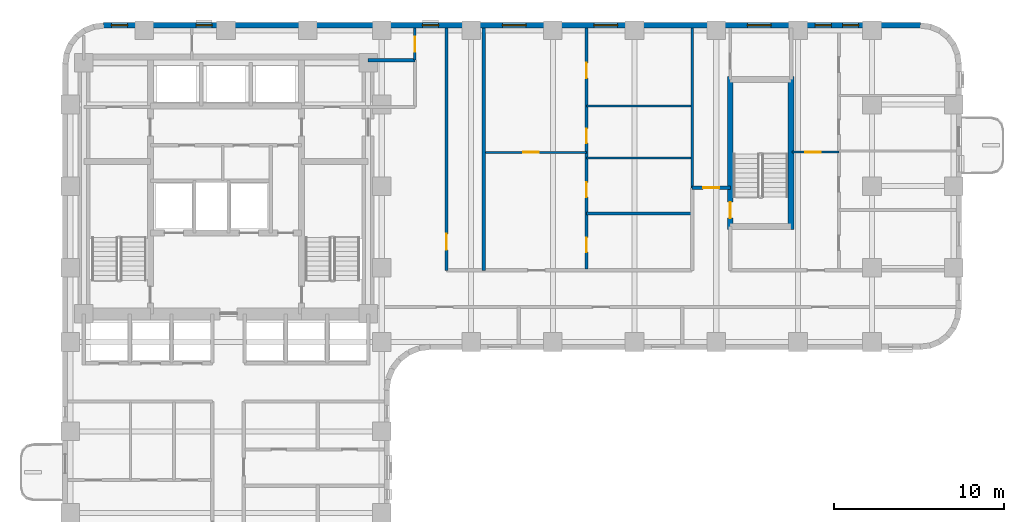
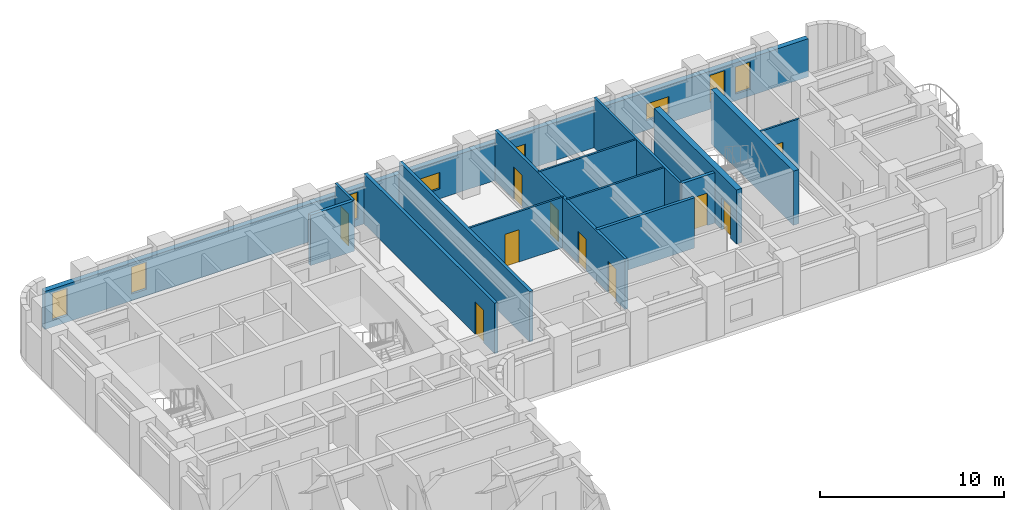
# One storey, part 6 of 11: 15 walls, 10 doors, 8 windows, 18 openings.
"""IFC4 building model written with IfcOpenShell, lengths in metres."""

from ifc_helpers import new_model, si_unit, direction, frame, frame_2d, origin, place, context, subcontext, project, spatial, rectangle, extrude, material, layer, layer_set, type_object, element, fill, save


model = new_model("IFC4")

# Units and contexts
model_context = context("Model", 3, precision=1e-05, world=origin(), true_north=direction((0.0, 1.0)))
body_context = subcontext(model_context, "Body", "Model", "MODEL_VIEW")
ifc_project = project(units=[si_unit("LENGTHUNIT", "METRE"), si_unit("AREAUNIT", "SQUARE_METRE"), si_unit("VOLUMEUNIT", "CUBIC_METRE"), si_unit("PLANEANGLEUNIT", "RADIAN"), si_unit("MASSUNIT", "GRAM", prefix="KILO")], contexts=[model_context])

# Site, building, storey
site_placement = place(None, origin())
site = spatial("IfcSite", under=ifc_project, at=site_placement, CompositionType="ELEMENT")
building_placement = place(site_placement, origin())
building = spatial("IfcBuilding", under=site, at=building_placement, Name="Orvandelia Arch Residences", CompositionType="ELEMENT")
storey_placement = place(building_placement, frame((0.0, 0.0, 64.60009765625)))
storey = spatial("IfcBuildingStorey", under=building, at=storey_placement, Name="L16", CompositionType="ELEMENT", Elevation=64.60009765625)

# Wall, opening, door
ifc_material_1 = material(Name="Concrete C50/60", Category="concrete")
ifc_layer_1 = layer(ifc_material_1, 0.35009765625, Name="Concrete C50/60", Category="concrete")
ifc_layer_set_1 = layer_set([ifc_layer_1], Name="Concrete C50/60")
wall_type_1 = type_object("IfcWallType", Name="WL-CORE-350", PredefinedType="SHEAR", material=ifc_layer_set_1)
wall_1_placement = place(storey_placement, frame((44.02001953125, 35.864990234375, 0.0), z_axis=(0.0, 0.0, 1.0), x_axis=(0.0, 1.0, 0.0)))
wall_1 = element("IfcWall", 1, at=wall_1_placement, inside=storey, type_object=wall_type_1, Name="East Stair Core Shear Wall L16-W", PredefinedType="SHEAR", context=body_context, shape_type="SweptSolid", body=[
    extrude(rectangle(XDim=8.969970703125, YDim=0.35009765625, at=frame_2d((4.48486328125, 0.0))), origin(), (0.0, 0.0, 1.0), 3.599853515625),
])
opening_1_placement = place(wall_1_placement, frame((0.64990234375, 0.0, 0.0)))
opening_1 = element("IfcOpeningElement", 2, at=opening_1_placement, cuts=wall_1, Name="Opening D7", PredefinedType="OPENING", context=body_context, shape_type="SweptSolid", body=[
    extrude(rectangle(XDim=0.949951171875, YDim=2.10009765625, at=frame_2d((0.47509765625, 1.050048828125))), frame((0.0, 0.18505859375, 0.0), z_axis=(0.0, -1.0, 0.0), x_axis=(1.0, 0.0, 0.0)), (0.0, 0.0, 1.0), 0.3701171875),
])
ifc_material_2 = material(Name="Pressurised Stairwell Fire Door")
door_type_1 = type_object("IfcDoorType", Name="DR-STAIR-950", OperationType="NOTDEFINED", PredefinedType="DOOR", material=ifc_material_2)
door_1_placement = place(opening_1_placement, origin())
door_1 = element("IfcDoor", 3, at=door_1_placement, inside=storey, type_object=door_type_1, Name="East Stairwell ST-3 Fire Door L16", OperationType="SINGLE_SWING_LEFT", OverallHeight=2.10009765625, OverallWidth=0.949951171875, PredefinedType="DOOR", context=body_context, shape_type="SweptSolid", body=[
    extrude(rectangle(XDim=0.949951171875, YDim=2.10009765625, at=frame_2d((0.47509765625, 1.050048828125))), frame((0.0, 0.02490234375, 0.0), z_axis=(0.0, -1.0, 0.0), x_axis=(1.0, 0.0, 0.0)), (0.0, 0.0, 1.0), 0.050048828125),
])
fill(opening_1, door_1)

# Walls
wall_2_placement = place(storey_placement, frame((47.60009765625, 35.864990234375, 0.0), z_axis=(0.0, 0.0, 1.0), x_axis=(0.0, 1.0, 0.0)))
element("IfcWall", 4, at=wall_2_placement, inside=storey, type_object=wall_type_1, Name="East Stair Core Shear Wall L16-E", PredefinedType="SHEAR", context=body_context, shape_type="SweptSolid", body=[
    extrude(rectangle(XDim=8.969970703125, YDim=0.35009765625, at=frame_2d((4.48486328125, 0.0))), origin(), (0.0, 0.0, 1.0), 3.599853515625),
])
ifc_material_3 = material(Name="Fire-Rated Corridor Partition")
ifc_layer_2 = layer(ifc_material_3, 0.199951171875, Name="Fire-Rated Corridor Partition")
ifc_layer_set_2 = layer_set([ifc_layer_2], Name="Fire-Rated Corridor Partition")
wall_type_2 = type_object("IfcWallType", Name="WL-CORR-200", PredefinedType="PARTITIONING", material=ifc_layer_set_2)
wall_3_placement = place(storey_placement, frame((22.75, 45.800048828125, 0.0), z_axis=(0.0, 0.0, 1.0), x_axis=(1.0, 0.0, 0.0)))
element("IfcWall", 5, at=wall_3_placement, inside=storey, type_object=wall_type_2, Name="Interior Partition Wall WL-L16-NCE-S", PredefinedType="PARTITIONING", context=body_context, shape_type="SweptSolid", body=[
    extrude(rectangle(XDim=2.75, YDim=0.199951171875, at=frame_2d((1.375, 0.0))), origin(), (0.0, 0.0, 1.0), 3.349853515625),
])

# Wall, opening, door
wall_4_placement = place(storey_placement, frame((27.35009765625, 33.449951171875, 0.0), z_axis=(0.0, 0.0, 1.0), x_axis=(0.0, 1.0, 0.0)))
wall_4 = element("IfcWall", 6, at=wall_4_placement, inside=storey, type_object=wall_type_2, Name="Interior Partition Wall WL-L16-ES-NCE", PredefinedType="PARTITIONING", context=body_context, shape_type="SweptSolid", body=[
    extrude(rectangle(XDim=14.22998046875, YDim=0.199951171875, at=frame_2d((7.114990234375, 0.0))), origin(), (0.0, 0.0, 1.0), 3.349853515625),
])
opening_2_placement = place(wall_4_placement, frame((1.199951171875, 0.0, 0.0)))
opening_2 = element("IfcOpeningElement", 7, at=opening_2_placement, cuts=wall_4, Name="Opening D2", PredefinedType="OPENING", context=body_context, shape_type="SweptSolid", body=[
    extrude(rectangle(XDim=0.949951171875, YDim=2.14990234375, at=frame_2d((0.47509765625, 1.074951171875))), frame((0.0, 0.10986328125, 0.0), z_axis=(0.0, -1.0, 0.0), x_axis=(1.0, 0.0, 0.0)), (0.0, 0.0, 1.0), 0.219970703125),
])
ifc_material_4 = material(Name="Solid-Core Timber Interior Fire Door", Category="wood")
door_type_2 = type_object("IfcDoorType", Name="DR-APT-950", OperationType="NOTDEFINED", PredefinedType="DOOR", material=ifc_material_4)
door_2_placement = place(opening_2_placement, origin())
door_2 = element("IfcDoor", 8, at=door_2_placement, inside=storey, type_object=door_type_2, Name="DR-L16-ESLDY", OperationType="SINGLE_SWING_RIGHT", OverallHeight=2.14990234375, OverallWidth=0.949951171875, PredefinedType="DOOR", context=body_context, shape_type="SweptSolid", body=[
    extrude(rectangle(XDim=0.949951171875, YDim=2.14990234375, at=frame_2d((0.47509765625, 1.074951171875))), frame((0.0, 0.02490234375, 0.0), z_axis=(0.0, -1.0, 0.0), x_axis=(1.0, 0.0, 0.0)), (0.0, 0.0, 1.0), 0.050048828125),
])
fill(opening_2, door_2)

wall_5_placement = place(storey_placement, frame((41.780029296875, 38.300048828125, 0.0), z_axis=(0.0, 0.0, 1.0), x_axis=(1.0, 0.0, 0.0)))
wall_5 = element("IfcWall", 9, at=wall_5_placement, inside=storey, type_object=wall_type_2, Name="Interior Partition Wall WL-L16-ES-SN", PredefinedType="PARTITIONING", context=body_context, shape_type="SweptSolid", body=[
    extrude(rectangle(XDim=2.239990234375, YDim=0.199951171875, at=frame_2d((1.1201171875, 0.0))), origin(), (0.0, 0.0, 1.0), 3.349853515625),
])
opening_3_placement = place(wall_5_placement, frame((0.64990234375, 0.0, 0.0)))
opening_3 = element("IfcOpeningElement", 10, at=opening_3_placement, cuts=wall_5, Name="Opening D2", PredefinedType="OPENING", context=body_context, shape_type="SweptSolid", body=[
    extrude(rectangle(XDim=0.949951171875, YDim=2.14990234375, at=frame_2d((0.47509765625, 1.074951171875))), frame((0.0, 0.10986328125, 0.0), z_axis=(0.0, -1.0, 0.0), x_axis=(1.0, 0.0, 0.0)), (0.0, 0.0, 1.0), 0.219970703125),
])
door_3_placement = place(opening_3_placement, origin())
door_3 = element("IfcDoor", 11, at=door_3_placement, inside=storey, type_object=door_type_2, Name="DR-L16-ESSPK", OperationType="SINGLE_SWING_LEFT", OverallHeight=2.14990234375, OverallWidth=0.949951171875, PredefinedType="DOOR", context=body_context, shape_type="SweptSolid", body=[
    extrude(rectangle(XDim=0.949951171875, YDim=2.14990234375, at=frame_2d((0.47509765625, 1.074951171875))), frame((0.0, 0.02490234375, 0.0), z_axis=(0.0, -1.0, 0.0), x_axis=(1.0, 0.0, 0.0)), (0.0, 0.0, 1.0), 0.050048828125),
])
fill(opening_3, door_3)

# Wall
ifc_material_5 = material(Name="Concrete C40/50", Category="concrete")
ifc_layer_3 = layer(ifc_material_5, 0.199951171875, Name="Concrete C40/50", Category="concrete")
ifc_layer_set_3 = layer_set([ifc_layer_3], Name="Concrete C40/50")
wall_type_3 = type_object("IfcWallType", Name="WL-DEM-200", PredefinedType="SOLIDWALL", material=ifc_layer_set_3)
wall_6_placement = place(storey_placement, frame((29.550048828125, 33.449951171875, 0.0), z_axis=(0.0, 0.0, 1.0), x_axis=(0.0, 1.0, 0.0)))
element("IfcWall", 12, at=wall_6_placement, inside=storey, type_object=wall_type_3, Name="Interior Partition Wall WL-L16-ES-LDE", PredefinedType="SOLIDWALL", context=body_context, shape_type="SweptSolid", body=[
    extrude(rectangle(XDim=14.22998046875, YDim=0.199951171875, at=frame_2d((7.114990234375, 0.0))), origin(), (0.0, 0.0, 1.0), 3.349853515625),
])

# Wall, openings, windows
ifc_material_6 = material(Name="Precast concrete C40/50", Category="concrete")
ifc_layer_4 = layer(ifc_material_6, 0.320068359375, Name="Precast concrete C40/50", Category="concrete")
ifc_layer_set_4 = layer_set([ifc_layer_4], Name="Precast concrete C40/50")
wall_type_4 = type_object("IfcWallType", Name="WL-EXT-STONE-320", PredefinedType="STANDARD", material=ifc_layer_set_4)
wall_7_placement = place(storey_placement, frame((7.199951171875, 47.840087890625, 0.0), z_axis=(0.0, 0.0, 1.0), x_axis=(1.0, 0.0, 0.0)))
wall_7 = element("IfcWall", 13, at=wall_7_placement, inside=storey, type_object=wall_type_4, Name="Coral-Limestone Precast Facade Wall L16-007", PredefinedType="STANDARD", context=body_context, shape_type="SweptSolid", body=[
    extrude(rectangle(XDim=48.0, YDim=0.320068359375, at=frame_2d((24.0, 0.0))), origin(), (0.0, 0.0, 1.0), 2.52978515625),
])
opening_4_placement = place(wall_7_placement, frame((28.803466796875, 0.0, 0.64990234375)))
opening_4 = element("IfcOpeningElement", 14, at=opening_4_placement, cuts=wall_7, Name="Opening W10", PredefinedType="OPENING", context=body_context, shape_type="SweptSolid", body=[
    extrude(rectangle(XDim=1.39990234375, YDim=1.10009765625, at=frame_2d((0.699951171875, 0.550048828125))), frame((0.0, 0.169921875, 0.0), z_axis=(0.0, -1.0, 0.0), x_axis=(1.0, 0.0, 0.0)), (0.0, 0.0, 1.0), 0.340087890625),
])
opening_5_placement = place(wall_7_placement, frame((43.41357421875, 0.0, 0.449951171875)))
opening_5 = element("IfcOpeningElement", 15, at=opening_5_placement, cuts=wall_7, Name="Opening W4", PredefinedType="OPENING", context=body_context, shape_type="SweptSolid", body=[
    extrude(rectangle(XDim=0.949951171875, YDim=1.800048828125, at=frame_2d((0.47509765625, 0.89990234375))), frame((0.0, 0.169921875, 0.0), z_axis=(0.0, -1.0, 0.0), x_axis=(1.0, 0.0, 0.0)), (0.0, 0.0, 1.0), 0.340087890625),
])
opening_6_placement = place(wall_7_placement, frame((18.739990234375, 0.0, 0.449951171875)))
opening_6 = element("IfcOpeningElement", 16, at=opening_6_placement, cuts=wall_7, Name="Opening W4", PredefinedType="OPENING", context=body_context, shape_type="SweptSolid", body=[
    extrude(rectangle(XDim=0.949951171875, YDim=1.800048828125, at=frame_2d((0.47509765625, 0.89990234375))), frame((0.0, 0.169921875, 0.0), z_axis=(0.0, -1.0, 0.0), x_axis=(1.0, 0.0, 0.0)), (0.0, 0.0, 1.0), 0.340087890625),
])
opening_7_placement = place(wall_7_placement, frame((37.824951171875, 0.0, 0.64990234375)))
opening_7 = element("IfcOpeningElement", 17, at=opening_7_placement, cuts=wall_7, Name="Opening W10", PredefinedType="OPENING", context=body_context, shape_type="SweptSolid", body=[
    extrude(rectangle(XDim=1.39990234375, YDim=1.10009765625, at=frame_2d((0.699951171875, 0.550048828125))), frame((0.0, 0.169921875, 0.0), z_axis=(0.0, -1.0, 0.0), x_axis=(1.0, 0.0, 0.0)), (0.0, 0.0, 1.0), 0.340087890625),
])
opening_8_placement = place(wall_7_placement, frame((0.469970703125, 0.0, 0.449951171875)))
opening_8 = element("IfcOpeningElement", 18, at=opening_8_placement, cuts=wall_7, Name="Opening W4", PredefinedType="OPENING", context=body_context, shape_type="SweptSolid", body=[
    extrude(rectangle(XDim=0.949951171875, YDim=1.800048828125, at=frame_2d((0.47509765625, 0.89990234375))), frame((0.0, 0.169921875, 0.0), z_axis=(0.0, -1.0, 0.0), x_axis=(1.0, 0.0, 0.0)), (0.0, 0.0, 1.0), 0.340087890625),
])
opening_9_placement = place(wall_7_placement, frame((5.43994140625, 0.0, 0.449951171875)))
opening_9 = element("IfcOpeningElement", 19, at=opening_9_placement, cuts=wall_7, Name="Opening W4", PredefinedType="OPENING", context=body_context, shape_type="SweptSolid", body=[
    extrude(rectangle(XDim=0.949951171875, YDim=1.800048828125, at=frame_2d((0.47509765625, 0.89990234375))), frame((0.0, 0.169921875, 0.0), z_axis=(0.0, -1.0, 0.0), x_axis=(1.0, 0.0, 0.0)), (0.0, 0.0, 1.0), 0.340087890625),
])
opening_10_placement = place(wall_7_placement, frame((23.429931640625, 0.0, 0.64990234375)))
opening_10 = element("IfcOpeningElement", 20, at=opening_10_placement, cuts=wall_7, Name="Opening W10", PredefinedType="OPENING", context=body_context, shape_type="SweptSolid", body=[
    extrude(rectangle(XDim=1.39990234375, YDim=1.10009765625, at=frame_2d((0.699951171875, 0.550048828125))), frame((0.0, 0.169921875, 0.0), z_axis=(0.0, -1.0, 0.0), x_axis=(1.0, 0.0, 0.0)), (0.0, 0.0, 1.0), 0.340087890625),
])
opening_11_placement = place(wall_7_placement, frame((41.80859375, 0.0, 0.449951171875)))
opening_11 = element("IfcOpeningElement", 21, at=opening_11_placement, cuts=wall_7, Name="Opening W4", PredefinedType="OPENING", context=body_context, shape_type="SweptSolid", body=[
    extrude(rectangle(XDim=0.949951171875, YDim=1.800048828125, at=frame_2d((0.47509765625, 0.89990234375))), frame((0.0, 0.169921875, 0.0), z_axis=(0.0, -1.0, 0.0), x_axis=(1.0, 0.0, 0.0)), (0.0, 0.0, 1.0), 0.340087890625),
])
ifc_material_7 = material(Name="Tempered Low-E Insulated Glazing", Category="glass")
window_type_1 = type_object("IfcWindowType", Name="WIN-CLR-1400x1100", PartitioningType="SINGLE_PANEL", PredefinedType="WINDOW", material=ifc_material_7)
window_1_placement = place(opening_4_placement, origin())
window_1 = element("IfcWindow", 22, at=window_1_placement, inside=storey, type_object=window_type_1, Name="Recessed Punched Window L16-001", OverallHeight=1.10009765625, OverallWidth=1.39990234375, PartitioningType="SINGLE_PANEL", PredefinedType="WINDOW", context=body_context, shape_type="SweptSolid", body=[
    extrude(rectangle(XDim=1.39990234375, YDim=1.10009765625, at=frame_2d((0.699951171875, 0.550048828125))), frame((0.0, 0.030029296875, 0.0), z_axis=(0.0, -1.0, 0.0), x_axis=(1.0, 0.0, 0.0)), (0.0, 0.0, 1.0), 0.06005859375),
])
fill(opening_4, window_1)
window_2_placement = place(opening_7_placement, origin())
window_2 = element("IfcWindow", 23, at=window_2_placement, inside=storey, type_object=window_type_1, Name="Recessed Punched Window L16-004", OverallHeight=1.10009765625, OverallWidth=1.39990234375, PartitioningType="SINGLE_PANEL", PredefinedType="WINDOW", context=body_context, shape_type="SweptSolid", body=[
    extrude(rectangle(XDim=1.39990234375, YDim=1.10009765625, at=frame_2d((0.699951171875, 0.550048828125))), frame((0.0, 0.030029296875, 0.0), z_axis=(0.0, -1.0, 0.0), x_axis=(1.0, 0.0, 0.0)), (0.0, 0.0, 1.0), 0.06005859375),
])
fill(opening_7, window_2)
window_3_placement = place(opening_10_placement, origin())
window_3 = element("IfcWindow", 24, at=window_3_placement, inside=storey, type_object=window_type_1, Name="Recessed Punched Window L16-007", OverallHeight=1.10009765625, OverallWidth=1.39990234375, PartitioningType="SINGLE_PANEL", PredefinedType="WINDOW", context=body_context, shape_type="SweptSolid", body=[
    extrude(rectangle(XDim=1.39990234375, YDim=1.10009765625, at=frame_2d((0.699951171875, 0.550048828125))), frame((0.0, 0.030029296875, 0.0), z_axis=(0.0, -1.0, 0.0), x_axis=(1.0, 0.0, 0.0)), (0.0, 0.0, 1.0), 0.06005859375),
])
fill(opening_10, window_3)
window_type_2 = type_object("IfcWindowType", Name="WIN-RES-0950x1800", PartitioningType="SINGLE_PANEL", PredefinedType="WINDOW", material=ifc_material_7)
window_4_placement = place(opening_5_placement, origin())
window_4 = element("IfcWindow", 25, at=window_4_placement, inside=storey, type_object=window_type_2, Name="Recessed Punched Window L16-002", OverallHeight=1.800048828125, OverallWidth=0.949951171875, PartitioningType="SINGLE_PANEL", PredefinedType="WINDOW", context=body_context, shape_type="SweptSolid", body=[
    extrude(rectangle(XDim=0.949951171875, YDim=1.800048828125, at=frame_2d((0.47509765625, 0.89990234375))), frame((0.0, 0.030029296875, 0.0), z_axis=(0.0, -1.0, 0.0), x_axis=(1.0, 0.0, 0.0)), (0.0, 0.0, 1.0), 0.06005859375),
])
fill(opening_5, window_4)
window_5_placement = place(opening_6_placement, origin())
window_5 = element("IfcWindow", 26, at=window_5_placement, inside=storey, type_object=window_type_2, Name="Recessed Punched Window L16-003", OverallHeight=1.800048828125, OverallWidth=0.949951171875, PartitioningType="SINGLE_PANEL", PredefinedType="WINDOW", context=body_context, shape_type="SweptSolid", body=[
    extrude(rectangle(XDim=0.949951171875, YDim=1.800048828125, at=frame_2d((0.47509765625, 0.89990234375))), frame((0.0, 0.030029296875, 0.0), z_axis=(0.0, -1.0, 0.0), x_axis=(1.0, 0.0, 0.0)), (0.0, 0.0, 1.0), 0.06005859375),
])
fill(opening_6, window_5)
window_6_placement = place(opening_8_placement, origin())
window_6 = element("IfcWindow", 27, at=window_6_placement, inside=storey, type_object=window_type_2, Name="Recessed Punched Window L16-005", OverallHeight=1.800048828125, OverallWidth=0.949951171875, PartitioningType="SINGLE_PANEL", PredefinedType="WINDOW", context=body_context, shape_type="SweptSolid", body=[
    extrude(rectangle(XDim=0.949951171875, YDim=1.800048828125, at=frame_2d((0.47509765625, 0.89990234375))), frame((0.0, 0.030029296875, 0.0), z_axis=(0.0, -1.0, 0.0), x_axis=(1.0, 0.0, 0.0)), (0.0, 0.0, 1.0), 0.06005859375),
])
fill(opening_8, window_6)
window_7_placement = place(opening_9_placement, origin())
window_7 = element("IfcWindow", 28, at=window_7_placement, inside=storey, type_object=window_type_2, Name="Recessed Punched Window L16-006", OverallHeight=1.800048828125, OverallWidth=0.949951171875, PartitioningType="SINGLE_PANEL", PredefinedType="WINDOW", context=body_context, shape_type="SweptSolid", body=[
    extrude(rectangle(XDim=0.949951171875, YDim=1.800048828125, at=frame_2d((0.47509765625, 0.89990234375))), frame((0.0, 0.030029296875, 0.0), z_axis=(0.0, -1.0, 0.0), x_axis=(1.0, 0.0, 0.0)), (0.0, 0.0, 1.0), 0.06005859375),
])
fill(opening_9, window_7)
window_8_placement = place(opening_11_placement, origin())
window_8 = element("IfcWindow", 29, at=window_8_placement, inside=storey, type_object=window_type_2, Name="Recessed Punched Window L16-008", OverallHeight=1.800048828125, OverallWidth=0.949951171875, PartitioningType="SINGLE_PANEL", PredefinedType="WINDOW", context=body_context, shape_type="SweptSolid", body=[
    extrude(rectangle(XDim=0.949951171875, YDim=1.800048828125, at=frame_2d((0.47509765625, 0.89990234375))), frame((0.0, 0.030029296875, 0.0), z_axis=(0.0, -1.0, 0.0), x_axis=(1.0, 0.0, 0.0)), (0.0, 0.0, 1.0), 0.06005859375),
])
fill(opening_11, window_8)

# Wall, opening, door
ifc_material_8 = material(Name="Lightweight Gypsum Stud Partition")
ifc_layer_5 = layer(ifc_material_8, 0.1201171875, Name="Lightweight Gypsum Stud Partition")
ifc_layer_set_5 = layer_set([ifc_layer_5], Name="Lightweight Gypsum Stud Partition")
wall_type_5 = type_object("IfcWallType", Name="WL-PART-120", PredefinedType="PARTITIONING", material=ifc_layer_set_5)
wall_8_placement = place(storey_placement, frame((29.6298828125, 40.382080078125, 0.0), z_axis=(0.0, 0.0, 1.0), x_axis=(1.0, 0.0, 0.0)))
wall_8 = element("IfcWall", 30, at=wall_8_placement, inside=storey, type_object=wall_type_5, Name="Interior Partition Wall WL-L16-U07-DIN", PredefinedType="PARTITIONING", context=body_context, shape_type="SweptSolid", body=[
    extrude(rectangle(XDim=5.947021484375, YDim=0.1201171875, at=frame_2d((2.9736328125, 0.0))), origin(), (0.0, 0.0, 1.0), 3.349853515625),
])
opening_12_placement = place(wall_8_placement, frame((2.235107421875, 0.0, 0.0)))
opening_12 = element("IfcOpeningElement", 31, at=opening_12_placement, cuts=wall_8, Name="Opening D3", PredefinedType="OPENING", context=body_context, shape_type="SweptSolid", body=[
    extrude(rectangle(XDim=0.89990234375, YDim=2.14990234375, at=frame_2d((0.449951171875, 1.074951171875))), frame((0.0, 0.070068359375, 0.0), z_axis=(0.0, -1.0, 0.0), x_axis=(1.0, 0.0, 0.0)), (0.0, 0.0, 1.0), 0.14013671875),
])
ifc_material_9 = material(Name="Engineered Timber Flush Door", Category="wood")
door_type_3 = type_object("IfcDoorType", Name="DR-INT-900", OperationType="NOTDEFINED", PredefinedType="DOOR", material=ifc_material_9)
door_4_placement = place(opening_12_placement, origin())
door_4 = element("IfcDoor", 32, at=door_4_placement, inside=storey, type_object=door_type_3, Name="DR-L16-U07-DIN", OperationType="SINGLE_SWING_RIGHT", OverallHeight=2.14990234375, OverallWidth=0.89990234375, PredefinedType="DOOR", context=body_context, shape_type="SweptSolid", body=[
    extrude(rectangle(XDim=0.89990234375, YDim=2.14990234375, at=frame_2d((0.449951171875, 1.074951171875))), frame((0.0, 0.02490234375, 0.0), z_axis=(0.0, -1.0, 0.0), x_axis=(1.0, 0.0, 0.0)), (0.0, 0.0, 1.0), 0.050048828125),
])
fill(opening_12, door_4)

# Walls
for number, where, z_axis, x_axis, name in (
    (33, (35.576904296875, 40.0419921875, 0.0), (0.0, 0.0, 1.0), (1.0, 0.0, 0.0), "Interior Partition Wall WL-L16-U07-H1B"),
    (34, (35.576904296875, 43.10693359375, 0.0), (0.0, 0.0, 1.0), (1.0, 0.0, 0.0), "Interior Partition Wall WL-L16-U07-H2"),
):
    element("IfcWall", number, at=place(storey_placement, frame(where, z_axis=z_axis, x_axis=x_axis)), inside=storey, type_object=wall_type_5, Name=name, PredefinedType="PARTITIONING", context=body_context, shape_type="SweptSolid", body=[
        extrude(rectangle(XDim=6.123046875, YDim=0.1201171875, at=frame_2d((3.0615234375, 0.0))), origin(), (0.0, 0.0, 1.0), 3.349853515625),
    ])

# Wall, opening, door
wall_9_placement = place(storey_placement, frame((47.639892578125, 40.39404296875, 0.0), z_axis=(0.0, 0.0, 1.0), x_axis=(1.0, 0.0, 0.0)))
wall_9 = element("IfcWall", 35, at=wall_9_placement, inside=storey, type_object=wall_type_5, Name="Interior Partition Wall WL-L16-U08-DIN", PredefinedType="PARTITIONING", context=body_context, shape_type="SweptSolid", body=[
    extrude(rectangle(XDim=2.757080078125, YDim=0.1201171875, at=frame_2d((1.37841796875, 0.0))), origin(), (0.0, 0.0, 1.0), 3.349853515625),
])
opening_13_placement = place(wall_9_placement, frame((0.799560546875, 0.0, 0.0)))
opening_13 = element("IfcOpeningElement", 36, at=opening_13_placement, cuts=wall_9, Name="Opening D3", PredefinedType="OPENING", context=body_context, shape_type="SweptSolid", body=[
    extrude(rectangle(XDim=0.89990234375, YDim=2.14990234375, at=frame_2d((0.449951171875, 1.074951171875))), frame((0.0, 0.070068359375, 0.0), z_axis=(0.0, -1.0, 0.0), x_axis=(1.0, 0.0, 0.0)), (0.0, 0.0, 1.0), 0.14013671875),
])
door_5_placement = place(opening_13_placement, origin())
door_5 = element("IfcDoor", 37, at=door_5_placement, inside=storey, type_object=door_type_3, Name="DR-L16-U08-DIN", OperationType="SINGLE_SWING_LEFT", OverallHeight=2.14990234375, OverallWidth=0.89990234375, PredefinedType="DOOR", context=body_context, shape_type="SweptSolid", body=[
    extrude(rectangle(XDim=0.89990234375, YDim=2.14990234375, at=frame_2d((0.449951171875, 1.074951171875))), frame((0.0, 0.02490234375, 0.0), z_axis=(0.0, -1.0, 0.0), x_axis=(1.0, 0.0, 0.0)), (0.0, 0.0, 1.0), 0.050048828125),
])
fill(opening_13, door_5)

ifc_material_10 = material(Name="Acoustic Gypsum Stud Partition")
ifc_layer_6 = layer(ifc_material_10, 0.14990234375, Name="Acoustic Gypsum Stud Partition")
ifc_layer_set_6 = layer_set([ifc_layer_6], Name="Acoustic Gypsum Stud Partition")
wall_type_6 = type_object("IfcWallType", Name="WL-PART-150", PredefinedType="PARTITIONING", material=ifc_layer_set_6)
wall_10_placement = place(storey_placement, frame((25.5, 45.800048828125, 0.0), z_axis=(0.0, 0.0, 1.0), x_axis=(0.0, 1.0, 0.0)))
wall_10 = element("IfcWall", 38, at=wall_10_placement, inside=storey, type_object=wall_type_6, Name="Interior Partition Wall WL-L16-NCE-W", PredefinedType="PARTITIONING", context=body_context, shape_type="SweptSolid", body=[
    extrude(rectangle(XDim=1.8798828125, YDim=0.14990234375, at=frame_2d((0.93994140625, 0.0))), origin(), (0.0, 0.0, 1.0), 3.349853515625),
])
opening_14_placement = place(wall_10_placement, frame((0.5, 0.0, 0.0)))
opening_14 = element("IfcOpeningElement", 39, at=opening_14_placement, cuts=wall_10, Name="Opening D5", PredefinedType="OPENING", context=body_context, shape_type="SweptSolid", body=[
    extrude(rectangle(XDim=0.8798828125, YDim=2.10009765625, at=frame_2d((0.43994140625, 1.050048828125))), frame((0.0, 0.0849609375, 0.0), z_axis=(0.0, -1.0, 0.0), x_axis=(1.0, 0.0, 0.0)), (0.0, 0.0, 1.0), 0.169921875),
])
ifc_material_11 = material(Name="Painted Galvanised Steel Service Door", Category="steel")
door_type_4 = type_object("IfcDoorType", Name="DR-SRV-880", OperationType="NOTDEFINED", PredefinedType="DOOR", material=ifc_material_11)
door_6_placement = place(opening_14_placement, origin())
door_6 = element("IfcDoor", 40, at=door_6_placement, inside=storey, type_object=door_type_4, Name="DR-L16-NCS2", OperationType="SINGLE_SWING_LEFT", OverallHeight=2.10009765625, OverallWidth=0.8798828125, PredefinedType="DOOR", context=body_context, shape_type="SweptSolid", body=[
    extrude(rectangle(XDim=0.8798828125, YDim=2.10009765625, at=frame_2d((0.43994140625, 1.050048828125))), frame((0.0, 0.02490234375, 0.0), z_axis=(0.0, -1.0, 0.0), x_axis=(1.0, 0.0, 0.0)), (0.0, 0.0, 1.0), 0.050048828125),
])
fill(opening_14, door_6)

# Wall
wall_11_placement = place(storey_placement, frame((41.780029296875, 38.300048828125, 0.0), z_axis=(0.0, 0.0, 1.0), x_axis=(0.0, 1.0, 0.0)))
element("IfcWall", 41, at=wall_11_placement, inside=storey, type_object=wall_type_6, Name="Interior Partition Wall WL-L16-ES-SPKW", PredefinedType="PARTITIONING", context=body_context, shape_type="SweptSolid", body=[
    extrude(rectangle(XDim=9.3798828125, YDim=0.14990234375, at=frame_2d((4.68994140625, 0.0))), origin(), (0.0, 0.0, 1.0), 3.349853515625),
])

# Wall, openings, doors
ifc_material_12 = material(Name="Moisture-Resistant Plumbing Wall")
ifc_layer_7 = layer(ifc_material_12, 0.179931640625, Name="Moisture-Resistant Plumbing Wall")
ifc_layer_set_7 = layer_set([ifc_layer_7], Name="Moisture-Resistant Plumbing Wall")
wall_type_7 = type_object("IfcWallType", Name="WL-WET-180", PredefinedType="PLUMBINGWALL", material=ifc_layer_set_7)
wall_12_placement = place(storey_placement, frame((35.576904296875, 33.530029296875, 0.0), z_axis=(0.0, 0.0, 1.0), x_axis=(0.0, 1.0, 0.0)))
wall_12 = element("IfcWall", 42, at=wall_12_placement, inside=storey, type_object=wall_type_7, Name="Interior Partition Wall WL-L16-U07-VT", PredefinedType="PLUMBINGWALL", context=body_context, shape_type="SweptSolid", body=[
    extrude(rectangle(XDim=14.14990234375, YDim=0.179931640625, at=frame_2d((7.074951171875, 0.0))), origin(), (0.0, 0.0, 1.0), 3.349853515625),
])
opening_15_placement = place(wall_12_placement, frame((0.99267578125, 0.0, 0.0)))
opening_15 = element("IfcOpeningElement", 43, at=opening_15_placement, cuts=wall_12, Name="Opening D4", PredefinedType="OPENING", context=body_context, shape_type="SweptSolid", body=[
    extrude(rectangle(XDim=0.860107421875, YDim=2.10009765625, at=frame_2d((0.43017578125, 1.050048828125))), frame((0.0, 0.10009765625, 0.0), z_axis=(0.0, -1.0, 0.0), x_axis=(1.0, 0.0, 0.0)), (0.0, 0.0, 1.0), 0.199951171875),
])
opening_16_placement = place(wall_12_placement, frame((4.226318359375, 0.0, 0.0)))
opening_16 = element("IfcOpeningElement", 44, at=opening_16_placement, cuts=wall_12, Name="Opening D4", PredefinedType="OPENING", context=body_context, shape_type="SweptSolid", body=[
    extrude(rectangle(XDim=0.860107421875, YDim=2.10009765625, at=frame_2d((0.43017578125, 1.050048828125))), frame((0.0, 0.10009765625, 0.0), z_axis=(0.0, -1.0, 0.0), x_axis=(1.0, 0.0, 0.0)), (0.0, 0.0, 1.0), 0.199951171875),
])
opening_17_placement = place(wall_12_placement, frame((7.396240234375, 0.0, 0.0)))
opening_17 = element("IfcOpeningElement", 45, at=opening_17_placement, cuts=wall_12, Name="Opening D4", PredefinedType="OPENING", context=body_context, shape_type="SweptSolid", body=[
    extrude(rectangle(XDim=0.860107421875, YDim=2.10009765625, at=frame_2d((0.43017578125, 1.050048828125))), frame((0.0, 0.10009765625, 0.0), z_axis=(0.0, -1.0, 0.0), x_axis=(1.0, 0.0, 0.0)), (0.0, 0.0, 1.0), 0.199951171875),
])
opening_18_placement = place(wall_12_placement, frame((11.2119140625, 0.0, 0.0)))
opening_18 = element("IfcOpeningElement", 46, at=opening_18_placement, cuts=wall_12, Name="Opening D3", PredefinedType="OPENING", context=body_context, shape_type="SweptSolid", body=[
    extrude(rectangle(XDim=0.89990234375, YDim=2.14990234375, at=frame_2d((0.449951171875, 1.074951171875))), frame((0.0, 0.10009765625, 0.0), z_axis=(0.0, -1.0, 0.0), x_axis=(1.0, 0.0, 0.0)), (0.0, 0.0, 1.0), 0.199951171875),
])
door_7_placement = place(opening_18_placement, origin())
door_7 = element("IfcDoor", 47, at=door_7_placement, inside=storey, type_object=door_type_3, Name="DR-L16-U07-BD1", OperationType="SINGLE_SWING_LEFT", OverallHeight=2.14990234375, OverallWidth=0.89990234375, PredefinedType="DOOR", context=body_context, shape_type="SweptSolid", body=[
    extrude(rectangle(XDim=0.89990234375, YDim=2.14990234375, at=frame_2d((0.449951171875, 1.074951171875))), frame((0.0, 0.02490234375, 0.0), z_axis=(0.0, -1.0, 0.0), x_axis=(1.0, 0.0, 0.0)), (0.0, 0.0, 1.0), 0.050048828125),
])
fill(opening_18, door_7)
ifc_material_13 = material(Name="Moisture-Sealed Timber Bathroom Door", Category="wood")
door_type_5 = type_object("IfcDoorType", Name="DR-WET-900", OperationType="NOTDEFINED", PredefinedType="DOOR", material=ifc_material_13)
door_8_placement = place(opening_15_placement, origin())
door_8 = element("IfcDoor", 48, at=door_8_placement, inside=storey, type_object=door_type_5, Name="DR-L16-U07-BTH", OperationType="SINGLE_SWING_RIGHT", OverallHeight=2.10009765625, OverallWidth=0.860107421875, PredefinedType="DOOR", context=body_context, shape_type="SweptSolid", body=[
    extrude(rectangle(XDim=0.860107421875, YDim=2.10009765625, at=frame_2d((0.43017578125, 1.050048828125))), frame((0.0, 0.02490234375, 0.0), z_axis=(0.0, -1.0, 0.0), x_axis=(1.0, 0.0, 0.0)), (0.0, 0.0, 1.0), 0.050048828125),
])
fill(opening_15, door_8)
door_9_placement = place(opening_16_placement, origin())
door_9 = element("IfcDoor", 49, at=door_9_placement, inside=storey, type_object=door_type_5, Name="DR-L16-U07-KIT", OperationType="SINGLE_SWING_LEFT", OverallHeight=2.10009765625, OverallWidth=0.860107421875, PredefinedType="DOOR", context=body_context, shape_type="SweptSolid", body=[
    extrude(rectangle(XDim=0.860107421875, YDim=2.10009765625, at=frame_2d((0.43017578125, 1.050048828125))), frame((0.0, 0.02490234375, 0.0), z_axis=(0.0, -1.0, 0.0), x_axis=(1.0, 0.0, 0.0)), (0.0, 0.0, 1.0), 0.050048828125),
])
fill(opening_16, door_9)
door_10_placement = place(opening_17_placement, origin())
door_10 = element("IfcDoor", 50, at=door_10_placement, inside=storey, type_object=door_type_5, Name="DR-L16-U07-STDY", OperationType="SINGLE_SWING_RIGHT", OverallHeight=2.10009765625, OverallWidth=0.860107421875, PredefinedType="DOOR", context=body_context, shape_type="SweptSolid", body=[
    extrude(rectangle(XDim=0.860107421875, YDim=2.10009765625, at=frame_2d((0.43017578125, 1.050048828125))), frame((0.0, 0.02490234375, 0.0), z_axis=(0.0, -1.0, 0.0), x_axis=(1.0, 0.0, 0.0)), (0.0, 0.0, 1.0), 0.050048828125),
])
fill(opening_17, door_10)

# Wall
wall_13_placement = place(storey_placement, frame((35.576904296875, 36.785888671875, 0.0), z_axis=(0.0, 0.0, 1.0), x_axis=(1.0, 0.0, 0.0)))
element("IfcWall", 51, at=wall_13_placement, inside=storey, type_object=wall_type_7, Name="Interior Partition Wall WL-L16-U07-H1", PredefinedType="PLUMBINGWALL", context=body_context, shape_type="SweptSolid", body=[
    extrude(rectangle(XDim=6.123046875, YDim=0.179931640625, at=frame_2d((3.0615234375, 0.0))), origin(), (0.0, 0.0, 1.0), 3.349853515625),
])

save(model, "model.ifc")
